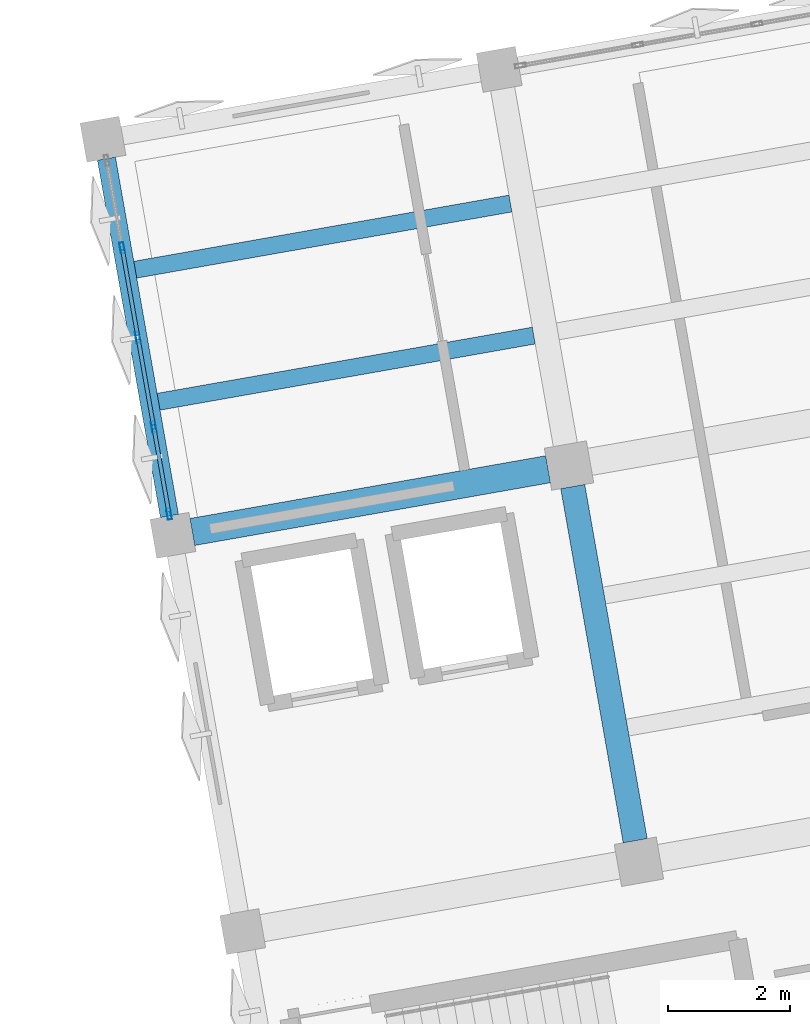
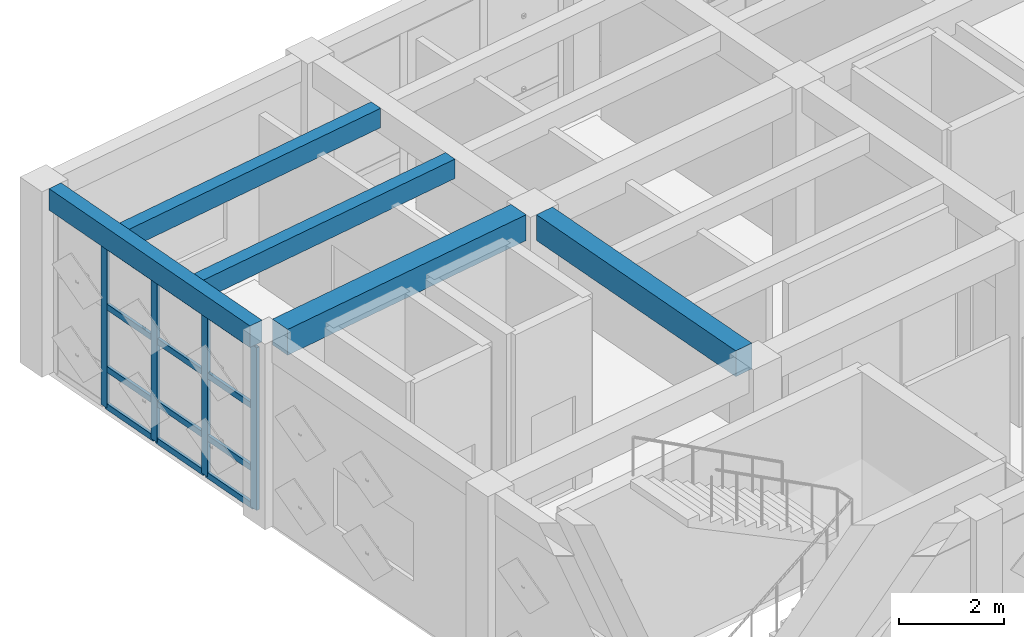
# One storey, part 4 of 39: 16 members, 5 beams, 1 element without a shape of its own.
"""IFC4 building model written with IfcOpenShell, lengths in metres."""

from ifc_helpers import new_model, si_unit, direction, frame, origin, origin_2d, place, context, subcontext, project, spatial, rectangle, hollow_rectangle, extrude, material, layer, layer_set, material_profile, profile_set, type_object, element, aggregate, save


model = new_model("IFC4")

# Units and contexts
model_context = context("Model", 3, precision=1e-05, world=origin(), true_north=direction((0.0, 1.0)))
body_context = subcontext(model_context, "Body", "Model", "MODEL_VIEW")
ifc_project = project(units=[si_unit("LENGTHUNIT", "METRE"), si_unit("AREAUNIT", "SQUARE_METRE"), si_unit("VOLUMEUNIT", "CUBIC_METRE"), si_unit("PLANEANGLEUNIT", "RADIAN"), si_unit("MASSUNIT", "GRAM", prefix="KILO")], contexts=[model_context])

# Site, building, storey
site_placement = place(None, origin())
site = spatial("IfcSite", under=ifc_project, at=site_placement, CompositionType="ELEMENT")
building_placement = place(site_placement, origin())
building = spatial("IfcBuilding", under=site, at=building_placement, Name="Kharisveld Research Institute", CompositionType="ELEMENT")
storey_placement = place(building_placement, frame((0.0, 0.0, 23.10009765625)))
storey = spatial("IfcBuildingStorey", under=building, at=storey_placement, Name="L05", CompositionType="ELEMENT", Elevation=23.10009765625)

# Beams
ifc_material_1 = material(Name="Concrete C40/50", Category="concrete")
ifc_material_profile_1 = material_profile(ifc_material_1, rectangle(XDim=0.39990234375, YDim=0.60009765625, at=origin_2d()))
ifc_profile_set_1 = profile_set([ifc_material_profile_1], Name="Concrete C40/50")
beam_type_1 = type_object("IfcBeamType", Name="BM_RC_400x600", PredefinedType="BEAM", material=ifc_profile_set_1)
beam_1_placement = place(storey_placement, frame((10.492919921875, 43.00048828125, 4.010009765625), z_axis=(-0.173672023659, 0.984803548023, 0.0), x_axis=(-0.984803548023, -0.173672023659, 0.0)))
element("IfcBeam", 1, at=beam_1_placement, inside=storey, type_object=beam_type_1, Name="BM:V1:L05:V1_1", PredefinedType="BEAM", context=body_context, shape_type="SweptSolid", body=[
    extrude(rectangle(XDim=0.39990234375, YDim=0.60009765625, at=origin_2d()), origin(), (0.0, 0.0, 1.0), 5.89990234375),
])
ifc_material_2 = material(Name="Concrete C40/50", Category="concrete")
ifc_material_profile_2 = material_profile(ifc_material_2, rectangle(XDim=0.449951171875, YDim=0.60009765625, at=origin_2d()))
ifc_profile_set_2 = profile_set([ifc_material_profile_2], Name="Concrete C40/50")
beam_type_2 = type_object("IfcBeamType", Name="BM_RC_450x600", PredefinedType="BEAM", material=ifc_profile_set_2)
beam_2_placement = place(storey_placement, frame((3.22802734375, 48.06591796875, 4.010009765625), z_axis=(0.984809266846, 0.173639592071, 0.0), x_axis=(-0.173639592071, 0.984809266846, 0.0)))
element("IfcBeam", 2, at=beam_2_placement, inside=storey, type_object=beam_type_2, Name="BM:V1:L05:U0_2", PredefinedType="BEAM", context=body_context, shape_type="SweptSolid", body=[
    extrude(rectangle(XDim=0.449951171875, YDim=0.60009765625, at=origin_2d()), origin(), (0.0, 0.0, 1.0), 5.925048828125),
])

# Curtain wall, members
ifc_material_3 = material(Name="Thermally Broken Aluminium Curtain Wall", Category="aluminium")
ifc_layer = layer(ifc_material_3, 0.159912109375)
ifc_layer_set = layer_set([ifc_layer], Name="CW_SYS_04")
curtain_wall_type = type_object("IfcCurtainWallType", Name="CW_SYS_04", PredefinedType="NOTDEFINED", material=ifc_layer_set)
curtain_wall_placement = place(storey_placement, origin())
curtain_wall = element("IfcCurtainWall", 3, at=curtain_wall_placement, inside=storey, type_object=curtain_wall_type, Name="CW:V1:L05:W2", PredefinedType="NOTDEFINED")
ifc_material_4 = material(Name="Anodised Aluminium AW-6063-T6", Category="aluminium")
ifc_material_profile_3 = material_profile(ifc_material_4, hollow_rectangle(XDim=0.070068359375, YDim=0.179931640625, WallThickness=0.00439453125, at=origin_2d()))
ifc_profile_set_3 = profile_set([ifc_material_profile_3], Name="Anodised Aluminium AW-6063-T6")
member_type_1 = type_object("IfcMemberType", Name="CW_MUL_180", PredefinedType="MULLION", material=ifc_profile_set_3)
member_1_placement = place(storey_placement, frame((2.84619140625, 48.359130859375, 0.0), z_axis=(0.0, 0.0, 1.0), x_axis=(-0.984807737371, -0.173648266375, 0.0)))
member_1 = element("IfcMember", 4, at=member_1_placement, type_object=member_type_1, Name="CW-04 mullion 1", PredefinedType="MULLION", context=body_context, shape_type="SweptSolid", body=[
    extrude(hollow_rectangle(XDim=0.070068359375, YDim=0.179931640625, WallThickness=0.00439453125, at=origin_2d()), origin(), (0.0, 0.0, 1.0), 3.77978515625),
])
member_2_placement = place(storey_placement, frame((2.593505859375, 49.7919921875, 0.0), z_axis=(0.0, 0.0, 1.0), x_axis=(-0.984807737371, -0.173648266375, 0.0)))
member_2 = element("IfcMember", 5, at=member_2_placement, type_object=member_type_1, Name="CW-04 mullion 2", PredefinedType="MULLION", context=body_context, shape_type="SweptSolid", body=[
    extrude(hollow_rectangle(XDim=0.070068359375, YDim=0.179931640625, WallThickness=0.00439453125, at=origin_2d()), origin(), (0.0, 0.0, 1.0), 3.77978515625),
])
member_3_placement = place(storey_placement, frame((2.334716796875, 51.25927734375, 0.0), z_axis=(0.0, 0.0, 1.0), x_axis=(-0.984807737371, -0.173648266375, 0.0)))
member_3 = element("IfcMember", 6, at=member_3_placement, type_object=member_type_1, Name="CW-04 mullion 3", PredefinedType="MULLION", context=body_context, shape_type="SweptSolid", body=[
    extrude(hollow_rectangle(XDim=0.070068359375, YDim=0.179931640625, WallThickness=0.00439453125, at=origin_2d()), origin(), (0.0, 0.0, 1.0), 3.77978515625),
])
member_4_placement = place(storey_placement, frame((2.076171875, 52.726806640625, 0.0), z_axis=(0.0, 0.0, 1.0), x_axis=(-0.984807737371, -0.173648266375, 0.0)))
member_4 = element("IfcMember", 7, at=member_4_placement, type_object=member_type_1, Name="CW-04 mullion 4", PredefinedType="MULLION", context=body_context, shape_type="SweptSolid", body=[
    extrude(hollow_rectangle(XDim=0.070068359375, YDim=0.179931640625, WallThickness=0.00439453125, at=origin_2d()), origin(), (0.0, 0.0, 1.0), 3.77978515625),
])
ifc_material_5 = material(Name="Anodised Aluminium AW-6063-T6", Category="aluminium")
ifc_material_profile_4 = material_profile(ifc_material_5, hollow_rectangle(XDim=0.06494140625, YDim=0.139892578125, WallThickness=0.00390625, at=origin_2d()))
ifc_profile_set_4 = profile_set([ifc_material_profile_4], Name="Anodised Aluminium AW-6063-T6")
member_type_2 = type_object("IfcMemberType", Name="CW_TRN_140", PredefinedType="USERDEFINED", material=ifc_profile_set_4)
member_5_placement = place(storey_placement, frame((2.840087890625, 48.3935546875, 0.032470703125), z_axis=(-0.173624442249, 0.984811937912, 0.0), x_axis=(-0.984811937912, -0.173624442249, 0.0)))
member_5 = element("IfcMember", 8, at=member_5_placement, type_object=member_type_2, Name="CW-04 transom 1.1", ObjectType="TRANSOM", PredefinedType="USERDEFINED", context=body_context, shape_type="SweptSolid", body=[
    extrude(hollow_rectangle(XDim=0.06494140625, YDim=0.139892578125, WallThickness=0.00390625, at=origin_2d()), origin(), (0.0, 0.0, 1.0), 1.385009765625),
])
member_6_placement = place(storey_placement, frame((2.840087890625, 48.3935546875, 0.89990234375), z_axis=(-0.173624442249, 0.984811937912, 0.0), x_axis=(-0.984811937912, -0.173624442249, 0.0)))
member_6 = element("IfcMember", 9, at=member_6_placement, type_object=member_type_2, Name="CW-04 transom 1.2", ObjectType="TRANSOM", PredefinedType="USERDEFINED", context=body_context, shape_type="SweptSolid", body=[
    extrude(hollow_rectangle(XDim=0.06494140625, YDim=0.139892578125, WallThickness=0.00390625, at=origin_2d()), origin(), (0.0, 0.0, 1.0), 1.385009765625),
])
member_7_placement = place(storey_placement, frame((2.840087890625, 48.3935546875, 2.349853515625), z_axis=(-0.173624442249, 0.984811937912, 0.0), x_axis=(-0.984811937912, -0.173624442249, 0.0)))
member_7 = element("IfcMember", 10, at=member_7_placement, type_object=member_type_2, Name="CW-04 transom 1.3", ObjectType="TRANSOM", PredefinedType="USERDEFINED", context=body_context, shape_type="SweptSolid", body=[
    extrude(hollow_rectangle(XDim=0.06494140625, YDim=0.139892578125, WallThickness=0.00390625, at=origin_2d()), origin(), (0.0, 0.0, 1.0), 1.385009765625),
])
member_8_placement = place(storey_placement, frame((2.840087890625, 48.3935546875, 3.747314453125), z_axis=(-0.173624442249, 0.984811937912, 0.0), x_axis=(-0.984811937912, -0.173624442249, 0.0)))
member_8 = element("IfcMember", 11, at=member_8_placement, type_object=member_type_2, Name="CW-04 transom 1.4", ObjectType="TRANSOM", PredefinedType="USERDEFINED", context=body_context, shape_type="SweptSolid", body=[
    extrude(hollow_rectangle(XDim=0.06494140625, YDim=0.139892578125, WallThickness=0.00390625, at=origin_2d()), origin(), (0.0, 0.0, 1.0), 1.385009765625),
])
member_9_placement = place(storey_placement, frame((2.58740234375, 49.826416015625, 0.032470703125), z_axis=(-0.17364802001, 0.984807780811, 0.0), x_axis=(-0.984807780811, -0.17364802001, 0.0)))
member_9 = element("IfcMember", 12, at=member_9_placement, type_object=member_type_2, Name="CW-04 transom 2.1", ObjectType="TRANSOM", PredefinedType="USERDEFINED", context=body_context, shape_type="SweptSolid", body=[
    extrude(hollow_rectangle(XDim=0.06494140625, YDim=0.139892578125, WallThickness=0.00390625, at=origin_2d()), origin(), (0.0, 0.0, 1.0), 1.419921875),
])
member_10_placement = place(storey_placement, frame((2.58740234375, 49.826416015625, 0.89990234375), z_axis=(-0.17364802001, 0.984807780811, 0.0), x_axis=(-0.984807780811, -0.17364802001, 0.0)))
member_10 = element("IfcMember", 13, at=member_10_placement, type_object=member_type_2, Name="CW-04 transom 2.2", ObjectType="TRANSOM", PredefinedType="USERDEFINED", context=body_context, shape_type="SweptSolid", body=[
    extrude(hollow_rectangle(XDim=0.06494140625, YDim=0.139892578125, WallThickness=0.00390625, at=origin_2d()), origin(), (0.0, 0.0, 1.0), 1.419921875),
])
member_11_placement = place(storey_placement, frame((2.58740234375, 49.826416015625, 2.349853515625), z_axis=(-0.17364802001, 0.984807780811, 0.0), x_axis=(-0.984807780811, -0.17364802001, 0.0)))
member_11 = element("IfcMember", 14, at=member_11_placement, type_object=member_type_2, Name="CW-04 transom 2.3", ObjectType="TRANSOM", PredefinedType="USERDEFINED", context=body_context, shape_type="SweptSolid", body=[
    extrude(hollow_rectangle(XDim=0.06494140625, YDim=0.139892578125, WallThickness=0.00390625, at=origin_2d()), origin(), (0.0, 0.0, 1.0), 1.419921875),
])
member_12_placement = place(storey_placement, frame((2.58740234375, 49.826416015625, 3.747314453125), z_axis=(-0.17364802001, 0.984807780811, 0.0), x_axis=(-0.984807780811, -0.17364802001, 0.0)))
member_12 = element("IfcMember", 15, at=member_12_placement, type_object=member_type_2, Name="CW-04 transom 2.4", ObjectType="TRANSOM", PredefinedType="USERDEFINED", context=body_context, shape_type="SweptSolid", body=[
    extrude(hollow_rectangle(XDim=0.06494140625, YDim=0.139892578125, WallThickness=0.00390625, at=origin_2d()), origin(), (0.0, 0.0, 1.0), 1.419921875),
])
member_13_placement = place(storey_placement, frame((2.32861328125, 51.293701171875, 0.032470703125), z_axis=(-0.17364802001, 0.984807780811, 0.0), x_axis=(-0.984807780811, -0.17364802001, 0.0)))
member_13 = element("IfcMember", 16, at=member_13_placement, type_object=member_type_2, Name="CW-04 transom 3.1", ObjectType="TRANSOM", PredefinedType="USERDEFINED", context=body_context, shape_type="SweptSolid", body=[
    extrude(hollow_rectangle(XDim=0.06494140625, YDim=0.139892578125, WallThickness=0.00390625, at=origin_2d()), origin(), (0.0, 0.0, 1.0), 1.419921875),
])
member_14_placement = place(storey_placement, frame((2.32861328125, 51.293701171875, 0.89990234375), z_axis=(-0.17364802001, 0.984807780811, 0.0), x_axis=(-0.984807780811, -0.17364802001, 0.0)))
member_14 = element("IfcMember", 17, at=member_14_placement, type_object=member_type_2, Name="CW-04 transom 3.2", ObjectType="TRANSOM", PredefinedType="USERDEFINED", context=body_context, shape_type="SweptSolid", body=[
    extrude(hollow_rectangle(XDim=0.06494140625, YDim=0.139892578125, WallThickness=0.00390625, at=origin_2d()), origin(), (0.0, 0.0, 1.0), 1.419921875),
])
member_15_placement = place(storey_placement, frame((2.32861328125, 51.293701171875, 2.349853515625), z_axis=(-0.17364802001, 0.984807780811, 0.0), x_axis=(-0.984807780811, -0.17364802001, 0.0)))
member_15 = element("IfcMember", 18, at=member_15_placement, type_object=member_type_2, Name="CW-04 transom 3.3", ObjectType="TRANSOM", PredefinedType="USERDEFINED", context=body_context, shape_type="SweptSolid", body=[
    extrude(hollow_rectangle(XDim=0.06494140625, YDim=0.139892578125, WallThickness=0.00390625, at=origin_2d()), origin(), (0.0, 0.0, 1.0), 1.419921875),
])
member_16_placement = place(storey_placement, frame((2.32861328125, 51.293701171875, 3.747314453125), z_axis=(-0.17364802001, 0.984807780811, 0.0), x_axis=(-0.984807780811, -0.17364802001, 0.0)))
member_16 = element("IfcMember", 19, at=member_16_placement, type_object=member_type_2, Name="CW-04 transom 3.4", ObjectType="TRANSOM", PredefinedType="USERDEFINED", context=body_context, shape_type="SweptSolid", body=[
    extrude(hollow_rectangle(XDim=0.06494140625, YDim=0.139892578125, WallThickness=0.00390625, at=origin_2d()), origin(), (0.0, 0.0, 1.0), 1.419921875),
])
aggregate(curtain_wall, [member_1, member_2, member_3, member_4, member_5, member_6, member_7, member_8, member_9, member_10, member_11, member_12, member_13, member_14, member_15, member_16])

# Beams
ifc_material_6 = material(Name="Concrete C40/50", Category="concrete")
ifc_material_profile_5 = material_profile(ifc_material_6, rectangle(XDim=0.300048828125, YDim=0.5, at=origin_2d()))
ifc_profile_set_5 = profile_set([ifc_material_profile_5], Name="Concrete C40/50")
beam_type_3 = type_object("IfcBeamType", Name="SP_RC_300x500", PredefinedType="SPANDREL", material=ifc_profile_set_5)
beam_3_placement = place(storey_placement, frame((2.851318359375, 48.32958984375, 4.059814453125), z_axis=(-0.173647228007, 0.984807920462, 0.0), x_axis=(-0.984807920462, -0.173647228007, 0.0)))
element("IfcBeam", 20, at=beam_3_placement, inside=storey, type_object=beam_type_3, Name="BM:V1:L05:V0_2", PredefinedType="SPANDREL", context=body_context, shape_type="SweptSolid", body=[
    extrude(rectangle(XDim=0.300048828125, YDim=0.5, at=origin_2d()), origin(), (0.0, 0.0, 1.0), 5.949951171875),
])
ifc_material_7 = material(Name="Concrete C40/50", Category="concrete")
ifc_material_profile_6 = material_profile(ifc_material_7, rectangle(XDim=0.280029296875, YDim=0.449951171875, at=origin_2d()))
ifc_profile_set_6 = profile_set([ifc_material_profile_6], Name="Concrete C40/50")
beam_type_4 = type_object("IfcBeamType", Name="WB_RC_280x450", PredefinedType="JOIST", material=ifc_profile_set_6)
for number, where, z_axis, x_axis, name in (
    (21, (2.673583984375, 50.2021484375, 4.0849609375), (0.984810288083, 0.17363379995, 0.0), (-0.17363379995, 0.984810288083, 0.0), "BM:V1:L05:J_0_2_R1"),
    (22, (2.29150390625, 52.36865234375, 4.0849609375), (0.984810288083, 0.17363379995, 0.0), (-0.17363379995, 0.984810288083, 0.0), "BM:V1:L05:J_0_2_R2"),
):
    element("IfcBeam", number, at=place(storey_placement, frame(where, z_axis=z_axis, x_axis=x_axis)), inside=storey, type_object=beam_type_4, Name=name, PredefinedType="JOIST", context=body_context, shape_type="SweptSolid", body=[
        extrude(rectangle(XDim=0.280029296875, YDim=0.449951171875, at=origin_2d()), origin(), (0.0, 0.0, 1.0), 6.25),
    ])

save(model, "model.ifc")
